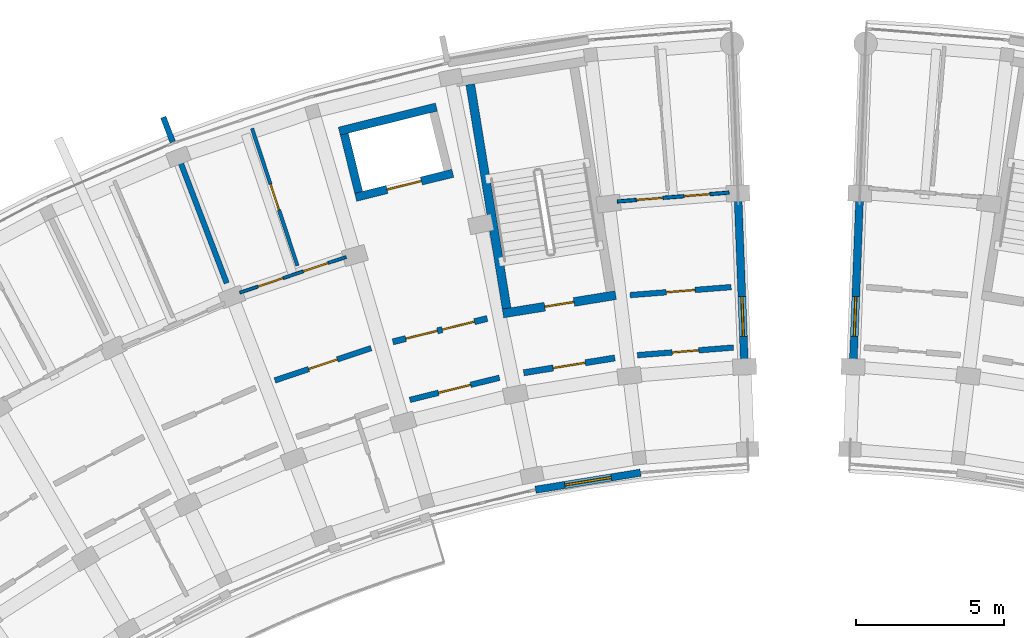
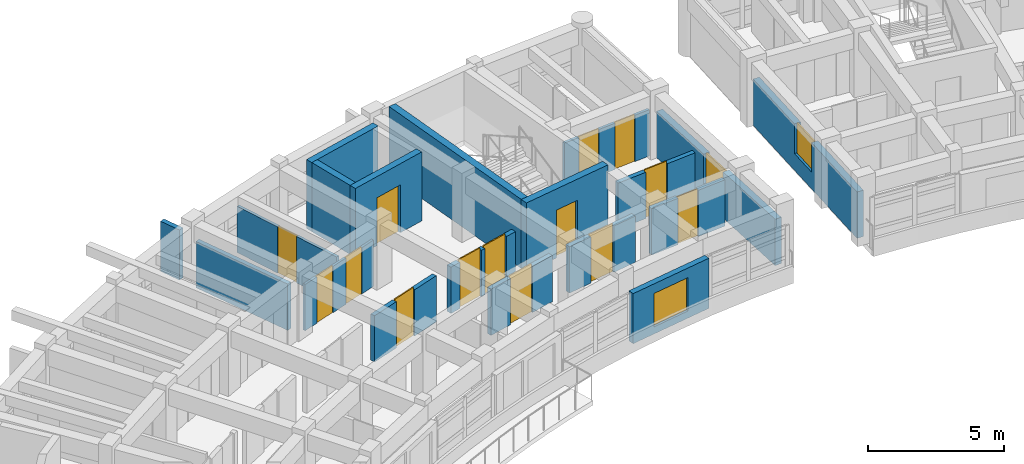
# One storey, part 29 of 56: 19 walls, 14 doors, 3 windows, 17 openings.
"""IFC4 building model written with IfcOpenShell, lengths in metres."""

from ifc_helpers import new_model, si_unit, direction, frame, frame_2d, origin, place, context, subcontext, project, spatial, rectangle, extrude, material, layer, layer_set, type_object, element, fill, save


model = new_model("IFC4")

# Units and contexts
model_context = context("Model", 3, precision=1e-05, world=origin(), true_north=direction((0.0, 1.0)))
body_context = subcontext(model_context, "Body", "Model", "MODEL_VIEW")
ifc_project = project(units=[si_unit("LENGTHUNIT", "METRE"), si_unit("AREAUNIT", "SQUARE_METRE"), si_unit("VOLUMEUNIT", "CUBIC_METRE"), si_unit("PLANEANGLEUNIT", "RADIAN"), si_unit("MASSUNIT", "GRAM", prefix="KILO")], contexts=[model_context])

# Site, building, storey
site_placement = place(None, origin())
site = spatial("IfcSite", under=ifc_project, at=site_placement, CompositionType="ELEMENT")
building_placement = place(site_placement, origin())
building = spatial("IfcBuilding", under=site, at=building_placement, Name="Zimvara Arc Housing Community", CompositionType="ELEMENT")
storey_placement = place(building_placement, frame((0.0, 0.0, 11.199951171875)))
storey = spatial("IfcBuildingStorey", under=building, at=storey_placement, Name="L03", CompositionType="ELEMENT", Elevation=11.199951171875)

# Wall, opening, window
ifc_material_1 = material(Name="Board-Marked Fair-Faced Concrete C35/45", Category="concrete")
ifc_layer_1 = layer(ifc_material_1, 0.264892578125)
ifc_layer_set_1 = layer_set([ifc_layer_1], Name="Board-Marked Fair-Faced Concrete C35/45")
wall_type_1 = type_object("IfcWallType", Name="EWL-CONC-265", PredefinedType="SOLIDWALL", material=ifc_layer_set_1)
wall_1_placement = place(storey_placement, frame((43.2587890625, 89.82666015625, 0.0), z_axis=(0.0, 0.0, 1.0), x_axis=(-0.038407966241, 0.999262141847, 0.0)))
wall_1 = element("IfcWall", 1, at=wall_1_placement, inside=storey, type_object=wall_type_1, Name="ewall:blkA:L03:gN", PredefinedType="SOLIDWALL", context=body_context, shape_type="SweptSolid", body=[
    extrude(rectangle(XDim=8.199951171875, YDim=0.264892578125, at=frame_2d((4.10009765625, 0.0))), origin(), (0.0, 0.0, 1.0), 2.080078125),
])
opening_1_placement = place(wall_1_placement, frame((3.590087890625, 0.0, 0.75)))
opening_1 = element("IfcOpeningElement", 2, at=opening_1_placement, cuts=wall_1, Name="Opening W12", PredefinedType="OPENING", context=body_context, shape_type="SweptSolid", body=[
    extrude(rectangle(XDim=1.35009765625, YDim=1.35009765625, at=frame_2d((0.675048828125, 0.675048828125))), frame((0.0, 0.142333984375, 0.0), z_axis=(0.0, -1.0, 0.0), x_axis=(1.0, 0.0, 0.0)), (0.0, 0.0, 1.0), 0.284912109375),
])
ifc_material_2 = material(Name="Solar Control Low-E Double Glazing", Category="glass")
window_type_1 = type_object("IfcWindowType", Name="WIN-RES-1350x1350", PartitioningType="DOUBLE_PANEL_VERTICAL", PredefinedType="WINDOW", material=ifc_material_2)
window_1_placement = place(opening_1_placement, origin())
window_1 = element("IfcWindow", 3, at=window_1_placement, inside=storey, type_object=window_type_1, Name="win:blkA:L03:gN:w", OverallHeight=1.35009765625, OverallWidth=1.35009765625, PartitioningType="DOUBLE_PANEL_VERTICAL", PredefinedType="WINDOW", context=body_context, shape_type="SweptSolid", body=[
    extrude(rectangle(XDim=1.35009765625, YDim=1.35009765625, at=frame_2d((0.675048828125, 0.675048828125))), frame((0.0, 0.030029296875, 0.0), z_axis=(0.0, -1.0, 0.0), x_axis=(1.0, 0.0, 0.0)), (0.0, 0.0, 1.0), 0.06005859375),
])
fill(opening_1, window_1)

wall_2_placement = place(storey_placement, frame((46.7412109375, 89.82666015625, 0.0), z_axis=(0.0, 0.0, 1.0), x_axis=(0.038407966241, 0.999262141847, 0.0)))
wall_2 = element("IfcWall", 4, at=wall_2_placement, inside=storey, type_object=wall_type_1, Name="ewall:blkB:L03:g0", PredefinedType="SOLIDWALL", context=body_context, shape_type="SweptSolid", body=[
    extrude(rectangle(XDim=8.199951171875, YDim=0.264892578125, at=frame_2d((4.10009765625, 0.0))), origin(), (0.0, 0.0, 1.0), 2.080078125),
])
opening_2_placement = place(wall_2_placement, frame((3.590087890625, 0.0, 0.75)))
opening_2 = element("IfcOpeningElement", 5, at=opening_2_placement, cuts=wall_2, Name="Opening W12", PredefinedType="OPENING", context=body_context, shape_type="SweptSolid", body=[
    extrude(rectangle(XDim=1.35009765625, YDim=1.35009765625, at=frame_2d((0.675048828125, 0.675048828125))), frame((0.0, 0.142333984375, 0.0), z_axis=(0.0, -1.0, 0.0), x_axis=(1.0, 0.0, 0.0)), (0.0, 0.0, 1.0), 0.284912109375),
])
window_2_placement = place(opening_2_placement, origin())
window_2 = element("IfcWindow", 6, at=window_2_placement, inside=storey, type_object=window_type_1, Name="win:blkB:L03:g0:w", OverallHeight=1.35009765625, OverallWidth=1.35009765625, PartitioningType="DOUBLE_PANEL_VERTICAL", PredefinedType="WINDOW", context=body_context, shape_type="SweptSolid", body=[
    extrude(rectangle(XDim=1.35009765625, YDim=1.35009765625, at=frame_2d((0.675048828125, 0.675048828125))), frame((0.0, 0.030029296875, 0.0), z_axis=(0.0, -1.0, 0.0), x_axis=(1.0, 0.0, 0.0)), (0.0, 0.0, 1.0), 0.06005859375),
])
fill(opening_2, window_2)

# Wall
ifc_material_3 = material(Name="Board-Marked Fair-Faced Concrete C35/45", Category="concrete")
ifc_layer_2 = layer(ifc_material_3, 0.195068359375)
ifc_layer_set_2 = layer_set([ifc_layer_2], Name="Board-Marked Fair-Faced Concrete C35/45")
wall_type_2 = type_object("IfcWallType", Name="EWL-PARA-195", PredefinedType="PARAPET", material=ifc_layer_set_2)
wall_3_placement = place(storey_placement, frame((23.783203125, 100.0029296875, 0.0), z_axis=(0.0, 0.0, 1.0), x_axis=(-0.356942580168, 0.934126326823, 0.0)))
element("IfcWall", 7, at=wall_3_placement, inside=storey, type_object=wall_type_2, Name="finwall:blkA:L03:out:b6", PredefinedType="PARAPET", context=body_context, shape_type="SweptSolid", body=[
    extrude(rectangle(XDim=0.900146484375, YDim=0.195068359375, at=frame_2d((0.4501953125, 0.0))), origin(), (0.0, 0.0, 1.0), 2.25),
])

# Wall, opening, window
ifc_material_4 = material(Name="Pigmented Fair-Faced Concrete C35/45", Category="concrete")
ifc_layer_3 = layer(ifc_material_4, 0.2451171875)
ifc_layer_set_3 = layer_set([ifc_layer_3], Name="Pigmented Fair-Faced Concrete C35/45")
wall_type_3 = type_object("IfcWallType", Name="EWL-PIGM-245", PredefinedType="SOLIDWALL", material=ifc_layer_set_3)
wall_4_placement = place(storey_placement, frame((36.078125, 88.218017578125, 0.0), z_axis=(0.0, 0.0, 1.0), x_axis=(0.987080874485, 0.160222804952, 0.0)))
wall_4 = element("IfcWall", 8, at=wall_4_placement, inside=storey, type_object=wall_type_3, Name="ewall:blkA:L03:in:b8", PredefinedType="SOLIDWALL", context=body_context, shape_type="SweptSolid", body=[
    extrude(rectangle(XDim=3.603759765625, YDim=0.2451171875, at=frame_2d((1.8017578125, 0.0))), origin(), (0.0, 0.0, 1.0), 2.25),
])
opening_3_placement = place(wall_4_placement, frame((1.001708984375, 0.0, 0.320068359375)))
opening_3 = element("IfcOpeningElement", 9, at=opening_3_placement, cuts=wall_4, Name="Opening W03", PredefinedType="OPENING", context=body_context, shape_type="SweptSolid", body=[
    extrude(rectangle(XDim=1.60009765625, YDim=1.5, at=frame_2d((0.800048828125, 0.75))), frame((0.0, 0.132568359375, 0.0), z_axis=(0.0, -1.0, 0.0), x_axis=(1.0, 0.0, 0.0)), (0.0, 0.0, 1.0), 0.26513671875),
])
ifc_material_5 = material(Name="Solar Control Low-E Double Glazing", Category="glass")
window_type_2 = type_object("IfcWindowType", Name="WIN-RES-1600x1500", PartitioningType="DOUBLE_PANEL_VERTICAL", PredefinedType="WINDOW", material=ifc_material_5)
window_3_placement = place(opening_3_placement, origin())
window_3 = element("IfcWindow", 10, at=window_3_placement, inside=storey, type_object=window_type_2, Name="win:blkA:L03:in:b8", OverallHeight=1.5, OverallWidth=1.60009765625, PartitioningType="DOUBLE_PANEL_VERTICAL", PredefinedType="WINDOW", context=body_context, shape_type="SweptSolid", body=[
    extrude(rectangle(XDim=1.60009765625, YDim=1.5, at=frame_2d((0.800048828125, 0.75))), frame((0.0, 0.030029296875, 0.0), z_axis=(0.0, -1.0, 0.0), x_axis=(1.0, 0.0, 0.0)), (0.0, 0.0, 1.0), 0.06005859375),
])
fill(opening_3, window_3)

# Wall, openings, doors
ifc_material_6 = material(Name="Concrete C35/45", Category="concrete")
ifc_layer_4 = layer(ifc_material_6, 0.2099609375)
ifc_layer_set_4 = layer_set([ifc_layer_4], Name="Concrete C35/45")
wall_type_4 = type_object("IfcWallType", Name="IWL-CCF-210", PredefinedType="SOLIDWALL", material=ifc_layer_set_4)
wall_5_placement = place(storey_placement, frame((31.242919921875, 93.22998046875, 0.0), z_axis=(0.0, 0.0, 1.0), x_axis=(0.970719238682, 0.240216901263, 0.0)))
wall_5 = element("IfcWall", 11, at=wall_5_placement, inside=storey, type_object=wall_type_4, Name="iwall:blkA:L03:ll_div:b7", PredefinedType="SOLIDWALL", context=body_context, shape_type="SweptSolid", body=[
    extrude(rectangle(XDim=3.2958984375, YDim=0.2099609375, at=frame_2d((1.64794921875, 0.0))), origin(), (0.0, 0.0, 1.0), 2.080078125),
])
opening_4_placement = place(wall_5_placement, frame((0.449951171875, 0.0, 0.0)))
opening_4 = element("IfcOpeningElement", 12, at=opening_4_placement, cuts=wall_5, Name="Opening FD-CCF1", PredefinedType="OPENING", context=body_context, shape_type="SweptSolid", body=[
    extrude(rectangle(XDim=1.10009765625, YDim=2.14990234375, at=frame_2d((0.550048828125, 1.074951171875))), frame((0.0, 0.114990234375, 0.0), z_axis=(0.0, -1.0, 0.0), x_axis=(1.0, 0.0, 0.0)), (0.0, 0.0, 1.0), 0.22998046875),
])
opening_5_placement = place(wall_5_placement, frame((1.72607421875, 0.0, 0.0)))
opening_5 = element("IfcOpeningElement", 13, at=opening_5_placement, cuts=wall_5, Name="Opening D07", PredefinedType="OPENING", context=body_context, shape_type="SweptSolid", body=[
    extrude(rectangle(XDim=1.1201171875, YDim=2.14990234375, at=frame_2d((0.56005859375, 1.074951171875))), frame((0.0, 0.114990234375, 0.0), z_axis=(0.0, -1.0, 0.0), x_axis=(1.0, 0.0, 0.0)), (0.0, 0.0, 1.0), 0.22998046875),
])
ifc_material_7 = material(Name="Mozambican Hardwood", Category="wood")
door_type_1 = type_object("IfcDoorType", Name="IDR-AMN-1120x2150", OperationType="NOTDEFINED", PredefinedType="DOOR", material=ifc_material_7)
door_1_placement = place(opening_5_placement, origin())
door_1 = element("IfcDoor", 14, at=door_1_placement, inside=storey, type_object=door_type_1, Name="idoor:blkA:L03:rs_in:b7", OperationType="SINGLE_SWING_RIGHT", OverallHeight=2.14990234375, OverallWidth=1.1201171875, PredefinedType="DOOR", context=body_context, shape_type="SweptSolid", body=[
    extrude(rectangle(XDim=1.1201171875, YDim=2.14990234375, at=frame_2d((0.56005859375, 1.074951171875))), frame((0.0, 0.02490234375, 0.0), z_axis=(0.0, -1.0, 0.0), x_axis=(1.0, 0.0, 0.0)), (0.0, 0.0, 1.0), 0.050048828125),
])
fill(opening_5, door_1)
ifc_material_8 = material(Name="Anodised Aluminium AW-6063", Category="aluminium")
door_type_2 = type_object("IfcDoorType", Name="IDR-CCF-1100x2150", OperationType="NOTDEFINED", PredefinedType="DOOR", material=ifc_material_8)
door_2_placement = place(opening_4_placement, origin())
door_2 = element("IfcDoor", 15, at=door_2_placement, inside=storey, type_object=door_type_2, Name="idoor:blkA:L03:ll_in:b7", OperationType="SINGLE_SWING_LEFT", OverallHeight=2.14990234375, OverallWidth=1.10009765625, PredefinedType="DOOR", context=body_context, shape_type="SweptSolid", body=[
    extrude(rectangle(XDim=1.10009765625, YDim=2.14990234375, at=frame_2d((0.550048828125, 1.074951171875))), frame((0.0, 0.02490234375, 0.0), z_axis=(0.0, -1.0, 0.0), x_axis=(1.0, 0.0, 0.0)), (0.0, 0.0, 1.0), 0.050048828125),
])
fill(opening_4, door_2)

# Wall, opening, door
wall_6_placement = place(storey_placement, frame((35.675537109375, 92.181396484375, 0.0), z_axis=(0.0, 0.0, 1.0), x_axis=(0.98707079686, 0.160284877599, 0.0)))
wall_6 = element("IfcWall", 16, at=wall_6_placement, inside=storey, type_object=wall_type_4, Name="iwall:blkA:L03:ccf_div:b8", PredefinedType="SOLIDWALL", context=body_context, shape_type="SweptSolid", body=[
    extrude(rectangle(XDim=3.128662109375, YDim=0.2099609375, at=frame_2d((1.564453125, 0.0))), origin(), (0.0, 0.0, 1.0), 2.080078125),
])
opening_6_placement = place(wall_6_placement, frame((1.014404296875, 0.0, 0.0)))
opening_6 = element("IfcOpeningElement", 17, at=opening_6_placement, cuts=wall_6, Name="Opening FD-CCF1", PredefinedType="OPENING", context=body_context, shape_type="SweptSolid", body=[
    extrude(rectangle(XDim=1.10009765625, YDim=2.14990234375, at=frame_2d((0.550048828125, 1.074951171875))), frame((0.0, 0.114990234375, 0.0), z_axis=(0.0, -1.0, 0.0), x_axis=(1.0, 0.0, 0.0)), (0.0, 0.0, 1.0), 0.22998046875),
])
door_3_placement = place(opening_6_placement, origin())
door_3 = element("IfcDoor", 18, at=door_3_placement, inside=storey, type_object=door_type_2, Name="idoor:blkA:L03:ccf_in:b8", OperationType="SINGLE_SWING_RIGHT", OverallHeight=2.14990234375, OverallWidth=1.10009765625, PredefinedType="DOOR", context=body_context, shape_type="SweptSolid", body=[
    extrude(rectangle(XDim=1.10009765625, YDim=2.14990234375, at=frame_2d((0.550048828125, 1.074951171875))), frame((0.0, 0.02490234375, 0.0), z_axis=(0.0, -1.0, 0.0), x_axis=(1.0, 0.0, 0.0)), (0.0, 0.0, 1.0), 0.050048828125),
])
fill(opening_6, door_3)

ifc_material_9 = material(Name="Concrete C35/45", Category="concrete")
ifc_layer_5 = layer(ifc_material_9, 0.18994140625)
ifc_layer_set_5 = layer_set([ifc_layer_5], Name="Concrete C35/45")
wall_type_5 = type_object("IfcWallType", Name="IWL-CORR-190", PredefinedType="SOLIDWALL", material=ifc_layer_set_5)
wall_7_placement = place(storey_placement, frame((27.24658203125, 91.922607421875, 0.0), z_axis=(0.0, 0.0, 1.0), x_axis=(0.947863007629, 0.318678080151, 0.0)))
wall_7 = element("IfcWall", 19, at=wall_7_placement, inside=storey, type_object=wall_type_5, Name="iwall:blkA:L03:corr_out:b6", PredefinedType="SOLIDWALL", context=body_context, shape_type="SweptSolid", body=[
    extrude(rectangle(XDim=3.43603515625, YDim=0.18994140625, at=frame_2d((1.718017578125, 0.0))), origin(), (0.0, 0.0, 1.0), 2.080078125),
])
opening_7_placement = place(wall_7_placement, frame((1.2080078125, 0.0, 0.0)))
opening_7 = element("IfcOpeningElement", 20, at=opening_7_placement, cuts=wall_7, Name="Opening FD-FL2", PredefinedType="OPENING", context=body_context, shape_type="SweptSolid", body=[
    extrude(rectangle(XDim=1.02001953125, YDim=2.14990234375, at=frame_2d((0.510009765625, 1.074951171875))), frame((0.0, 0.10498046875, 0.0), z_axis=(0.0, -1.0, 0.0), x_axis=(1.0, 0.0, 0.0)), (0.0, 0.0, 1.0), 0.2099609375),
])
ifc_material_10 = material(Name="Mozambican Hardwood", Category="wood")
door_type_3 = type_object("IfcDoorType", Name="IDR-FLAT-1020x2150", OperationType="NOTDEFINED", PredefinedType="DOOR", material=ifc_material_10)
door_4_placement = place(opening_7_placement, origin())
door_4 = element("IfcDoor", 21, at=door_4_placement, inside=storey, type_object=door_type_3, Name="idoor:blkA:L03:flat:b6", OperationType="SINGLE_SWING_LEFT", OverallHeight=2.14990234375, OverallWidth=1.02001953125, PredefinedType="DOOR", context=body_context, shape_type="SweptSolid", body=[
    extrude(rectangle(XDim=1.02001953125, YDim=2.14990234375, at=frame_2d((0.510009765625, 1.074951171875))), frame((0.0, 0.02490234375, 0.0), z_axis=(0.0, -1.0, 0.0), x_axis=(1.0, 0.0, 0.0)), (0.0, 0.0, 1.0), 0.050048828125),
])
fill(opening_7, door_4)

wall_8_placement = place(storey_placement, frame((31.816162109375, 91.26171875, 0.0), z_axis=(0.0, 0.0, 1.0), x_axis=(0.970727194092, 0.240184751078, 0.0)))
wall_8 = element("IfcWall", 22, at=wall_8_placement, inside=storey, type_object=wall_type_5, Name="iwall:blkA:L03:ra_div:b7", PredefinedType="SOLIDWALL", context=body_context, shape_type="SweptSolid", body=[
    extrude(rectangle(XDim=3.128662109375, YDim=0.18994140625, at=frame_2d((1.564453125, 0.0))), origin(), (0.0, 0.0, 1.0), 2.080078125),
])
opening_8_placement = place(wall_8_placement, frame((1.00439453125, 0.0, 0.0)))
opening_8 = element("IfcOpeningElement", 23, at=opening_8_placement, cuts=wall_8, Name="Opening D07", PredefinedType="OPENING", context=body_context, shape_type="SweptSolid", body=[
    extrude(rectangle(XDim=1.1201171875, YDim=2.14990234375, at=frame_2d((0.56005859375, 1.074951171875))), frame((0.0, 0.10498046875, 0.0), z_axis=(0.0, -1.0, 0.0), x_axis=(1.0, 0.0, 0.0)), (0.0, 0.0, 1.0), 0.2099609375),
])
door_5_placement = place(opening_8_placement, origin())
door_5 = element("IfcDoor", 24, at=door_5_placement, inside=storey, type_object=door_type_1, Name="idoor:blkA:L03:ra_d:b7", OperationType="SINGLE_SWING_LEFT", OverallHeight=2.14990234375, OverallWidth=1.1201171875, PredefinedType="DOOR", context=body_context, shape_type="SweptSolid", body=[
    extrude(rectangle(XDim=1.1201171875, YDim=2.14990234375, at=frame_2d((0.56005859375, 1.074951171875))), frame((0.0, 0.02490234375, 0.0), z_axis=(0.0, -1.0, 0.0), x_axis=(1.0, 0.0, 0.0)), (0.0, 0.0, 1.0), 0.050048828125),
])
fill(opening_8, door_5)

wall_9_placement = place(storey_placement, frame((39.281494140625, 94.81298828125, 0.0), z_axis=(0.0, 0.0, 1.0), x_axis=(0.996862545573, 0.079152165058, 0.0)))
wall_9 = element("IfcWall", 25, at=wall_9_placement, inside=storey, type_object=wall_type_5, Name="iwall:blkA:L03:corr_out:b9", PredefinedType="SOLIDWALL", context=body_context, shape_type="SweptSolid", body=[
    extrude(rectangle(XDim=3.43603515625, YDim=0.18994140625, at=frame_2d((1.718017578125, 0.0))), origin(), (0.0, 0.0, 1.0), 2.080078125),
])
opening_9_placement = place(wall_9_placement, frame((1.22802734375, 0.0, 0.0)))
opening_9 = element("IfcOpeningElement", 26, at=opening_9_placement, cuts=wall_9, Name="Opening FD-FL1", PredefinedType="OPENING", context=body_context, shape_type="SweptSolid", body=[
    extrude(rectangle(XDim=0.97998046875, YDim=2.14990234375, at=frame_2d((0.489990234375, 1.074951171875))), frame((0.0, 0.10498046875, 0.0), z_axis=(0.0, -1.0, 0.0), x_axis=(1.0, 0.0, 0.0)), (0.0, 0.0, 1.0), 0.2099609375),
])
ifc_material_11 = material(Name="Mozambican Hardwood", Category="wood")
door_type_4 = type_object("IfcDoorType", Name="IDR-FLAT-0980x2150", OperationType="NOTDEFINED", PredefinedType="DOOR", material=ifc_material_11)
door_6_placement = place(opening_9_placement, origin())
door_6 = element("IfcDoor", 27, at=door_6_placement, inside=storey, type_object=door_type_4, Name="idoor:blkA:L03:flat:b9", OperationType="SINGLE_SWING_LEFT", OverallHeight=2.14990234375, OverallWidth=0.97998046875, PredefinedType="DOOR", context=body_context, shape_type="SweptSolid", body=[
    extrude(rectangle(XDim=0.97998046875, YDim=2.14990234375, at=frame_2d((0.489990234375, 1.074951171875))), frame((0.0, 0.02490234375, 0.0), z_axis=(0.0, -1.0, 0.0), x_axis=(1.0, 0.0, 0.0)), (0.0, 0.0, 1.0), 0.050048828125),
])
fill(opening_9, door_6)

wall_10_placement = place(storey_placement, frame((39.527099609375, 92.77783203125, 0.0), z_axis=(0.0, 0.0, 1.0), x_axis=(0.99686660806, 0.07910098441, 0.0)))
wall_10 = element("IfcWall", 28, at=wall_10_placement, inside=storey, type_object=wall_type_5, Name="iwall:blkA:L03:corr_in:b9", PredefinedType="SOLIDWALL", context=body_context, shape_type="SweptSolid", body=[
    extrude(rectangle(XDim=3.2685546875, YDim=0.18994140625, at=frame_2d((1.63427734375, 0.0))), origin(), (0.0, 0.0, 1.0), 2.080078125),
])
opening_10_placement = place(wall_10_placement, frame((1.184326171875, 0.0, 0.0)))
opening_10 = element("IfcOpeningElement", 29, at=opening_10_placement, cuts=wall_10, Name="Opening D01", PredefinedType="OPENING", context=body_context, shape_type="SweptSolid", body=[
    extrude(rectangle(XDim=0.89990234375, YDim=2.10009765625, at=frame_2d((0.449951171875, 1.050048828125))), frame((0.0, 0.10498046875, 0.0), z_axis=(0.0, -1.0, 0.0), x_axis=(1.0, 0.0, 0.0)), (0.0, 0.0, 1.0), 0.2099609375),
])
ifc_material_12 = material(Name="Mozambican Hardwood", Category="wood")
door_type_5 = type_object("IfcDoorType", Name="IDR-RM-0900x2100", OperationType="NOTDEFINED", PredefinedType="DOOR", material=ifc_material_12)
door_7_placement = place(opening_10_placement, origin())
door_7 = element("IfcDoor", 30, at=door_7_placement, inside=storey, type_object=door_type_5, Name="idoor:blkA:L03:in_rm:b9", OperationType="SINGLE_SWING_RIGHT", OverallHeight=2.10009765625, OverallWidth=0.89990234375, PredefinedType="DOOR", context=body_context, shape_type="SweptSolid", body=[
    extrude(rectangle(XDim=0.89990234375, YDim=2.10009765625, at=frame_2d((0.449951171875, 1.050048828125))), frame((0.0, 0.02490234375, 0.0), z_axis=(0.0, -1.0, 0.0), x_axis=(1.0, 0.0, 0.0)), (0.0, 0.0, 1.0), 0.050048828125),
])
fill(opening_10, door_7)

# Wall
ifc_material_13 = material(Name="Concrete C35/45", Category="concrete")
ifc_layer_6 = layer(ifc_material_13, 0.18505859375)
ifc_layer_set_6 = layer_set([ifc_layer_6], Name="Concrete C35/45")
wall_type_6 = type_object("IfcWallType", Name="IWL-FLAT-185", PredefinedType="SOLIDWALL", material=ifc_layer_set_6)
wall_11_placement = place(storey_placement, frame((25.611328125, 95.220458984375, 0.0), z_axis=(0.0, 0.0, 1.0), x_axis=(-0.357064016205, 0.934079915388, 0.0)))
element("IfcWall", 31, at=wall_11_placement, inside=storey, type_object=wall_type_6, Name="iwall:blkA:L03:party:b6", PredefinedType="SOLIDWALL", context=body_context, shape_type="SweptSolid", body=[
    extrude(rectangle(XDim=4.35009765625, YDim=0.18505859375, at=frame_2d((2.175048828125, 0.0))), origin(), (0.0, 0.0, 1.0), 2.080078125),
])

# Wall, openings, doors
ifc_material_14 = material(Name="Painted Acoustic Plasterboard")
ifc_layer_7 = layer(ifc_material_14, 0.10009765625)
ifc_layer_set_7 = layer_set([ifc_layer_7], Name="Painted Acoustic Plasterboard")
wall_type_7 = type_object("IfcWallType", Name="IWL-PART-100", PredefinedType="PARTITIONING", material=ifc_layer_set_7)
wall_12_placement = place(storey_placement, frame((26.056396484375, 94.895751953125, 0.0), z_axis=(0.0, 0.0, 1.0), x_axis=(0.947876567739, 0.318637744673, 0.0)))
wall_12 = element("IfcWall", 32, at=wall_12_placement, inside=storey, type_object=wall_type_7, Name="iwall:blkA:L03:srv:b6", PredefinedType="PARTITIONING", context=body_context, shape_type="SweptSolid", body=[
    extrude(rectangle(XDim=3.79736328125, YDim=0.10009765625, at=frame_2d((1.898681640625, 0.0))), origin(), (0.0, 0.0, 1.0), 2.080078125),
])
opening_11_placement = place(wall_12_placement, frame((0.64990234375, 0.0, 0.0)))
opening_11 = element("IfcOpeningElement", 33, at=opening_11_placement, cuts=wall_12, Name="Opening D01", PredefinedType="OPENING", context=body_context, shape_type="SweptSolid", body=[
    extrude(rectangle(XDim=0.89990234375, YDim=2.10009765625, at=frame_2d((0.449951171875, 1.050048828125))), frame((0.0, 0.06005859375, 0.0), z_axis=(0.0, -1.0, 0.0), x_axis=(1.0, 0.0, 0.0)), (0.0, 0.0, 1.0), 0.1201171875),
])
opening_12_placement = place(wall_12_placement, frame((2.267333984375, 0.0, 0.0)))
opening_12 = element("IfcOpeningElement", 34, at=opening_12_placement, cuts=wall_12, Name="Opening D05", PredefinedType="OPENING", context=body_context, shape_type="SweptSolid", body=[
    extrude(rectangle(XDim=0.8798828125, YDim=2.10009765625, at=frame_2d((0.43994140625, 1.050048828125))), frame((0.0, 0.06005859375, 0.0), z_axis=(0.0, -1.0, 0.0), x_axis=(1.0, 0.0, 0.0)), (0.0, 0.0, 1.0), 0.1201171875),
])
door_8_placement = place(opening_11_placement, origin())
door_8 = element("IfcDoor", 35, at=door_8_placement, inside=storey, type_object=door_type_5, Name="idoor:blkA:L03:kit_liv:b6", OperationType="SINGLE_SWING_RIGHT", OverallHeight=2.10009765625, OverallWidth=0.89990234375, PredefinedType="DOOR", context=body_context, shape_type="SweptSolid", body=[
    extrude(rectangle(XDim=0.89990234375, YDim=2.10009765625, at=frame_2d((0.449951171875, 1.050048828125))), frame((0.0, 0.02490234375, 0.0), z_axis=(0.0, -1.0, 0.0), x_axis=(1.0, 0.0, 0.0)), (0.0, 0.0, 1.0), 0.050048828125),
])
fill(opening_11, door_8)
ifc_material_15 = material(Name="Mozambican Hardwood", Category="wood")
door_type_6 = type_object("IfcDoorType", Name="IDR-WC-0880x2100", OperationType="NOTDEFINED", PredefinedType="DOOR", material=ifc_material_15)
door_9_placement = place(opening_12_placement, origin())
door_9 = element("IfcDoor", 36, at=door_9_placement, inside=storey, type_object=door_type_6, Name="idoor:blkA:L03:bath_d:b6", OperationType="SINGLE_SWING_LEFT", OverallHeight=2.10009765625, OverallWidth=0.8798828125, PredefinedType="DOOR", context=body_context, shape_type="SweptSolid", body=[
    extrude(rectangle(XDim=0.8798828125, YDim=2.10009765625, at=frame_2d((0.43994140625, 1.050048828125))), frame((0.0, 0.02490234375, 0.0), z_axis=(0.0, -1.0, 0.0), x_axis=(1.0, 0.0, 0.0)), (0.0, 0.0, 1.0), 0.050048828125),
])
fill(opening_12, door_9)

ifc_material_16 = material(Name="Painted Acoustic Plasterboard")
ifc_layer_8 = layer(ifc_material_16, 0.114990234375)
ifc_layer_set_8 = layer_set([ifc_layer_8], Name="Painted Acoustic Plasterboard")
wall_type_8 = type_object("IfcWallType", Name="IWL-PART-115", PredefinedType="PARTITIONING", material=ifc_layer_set_8)
wall_13_placement = place(storey_placement, frame((38.848388671875, 97.986083984375, 0.0), z_axis=(0.0, 0.0, 1.0), x_axis=(0.996863138536, 0.079144696778, 0.0)))
wall_13 = element("IfcWall", 37, at=wall_13_placement, inside=storey, type_object=wall_type_8, Name="iwall:blkA:L03:srv:b9", PredefinedType="PARTITIONING", context=body_context, shape_type="SweptSolid", body=[
    extrude(rectangle(XDim=3.79736328125, YDim=0.114990234375, at=frame_2d((1.898681640625, 0.0))), origin(), (0.0, 0.0, 1.0), 2.080078125),
])
opening_13_placement = place(wall_13_placement, frame((0.64990234375, 0.0, 0.0)))
opening_13 = element("IfcOpeningElement", 38, at=opening_13_placement, cuts=wall_13, Name="Opening D01", PredefinedType="OPENING", context=body_context, shape_type="SweptSolid", body=[
    extrude(rectangle(XDim=0.89990234375, YDim=2.10009765625, at=frame_2d((0.449951171875, 1.050048828125))), frame((0.0, 0.0673828125, 0.0), z_axis=(0.0, -1.0, 0.0), x_axis=(1.0, 0.0, 0.0)), (0.0, 0.0, 1.0), 0.135009765625),
])
opening_14_placement = place(wall_13_placement, frame((2.267333984375, 0.0, 0.0)))
opening_14 = element("IfcOpeningElement", 39, at=opening_14_placement, cuts=wall_13, Name="Opening D05", PredefinedType="OPENING", context=body_context, shape_type="SweptSolid", body=[
    extrude(rectangle(XDim=0.8798828125, YDim=2.10009765625, at=frame_2d((0.43994140625, 1.050048828125))), frame((0.0, 0.0673828125, 0.0), z_axis=(0.0, -1.0, 0.0), x_axis=(1.0, 0.0, 0.0)), (0.0, 0.0, 1.0), 0.135009765625),
])
door_10_placement = place(opening_13_placement, origin())
door_10 = element("IfcDoor", 40, at=door_10_placement, inside=storey, type_object=door_type_5, Name="idoor:blkA:L03:kit_liv:b9", OperationType="SINGLE_SWING_LEFT", OverallHeight=2.10009765625, OverallWidth=0.89990234375, PredefinedType="DOOR", context=body_context, shape_type="SweptSolid", body=[
    extrude(rectangle(XDim=0.89990234375, YDim=2.10009765625, at=frame_2d((0.449951171875, 1.050048828125))), frame((0.0, 0.02490234375, 0.0), z_axis=(0.0, -1.0, 0.0), x_axis=(1.0, 0.0, 0.0)), (0.0, 0.0, 1.0), 0.050048828125),
])
fill(opening_13, door_10)
door_11_placement = place(opening_14_placement, origin())
door_11 = element("IfcDoor", 41, at=door_11_placement, inside=storey, type_object=door_type_6, Name="idoor:blkA:L03:bath_d:b9", OperationType="SINGLE_SWING_RIGHT", OverallHeight=2.10009765625, OverallWidth=0.8798828125, PredefinedType="DOOR", context=body_context, shape_type="SweptSolid", body=[
    extrude(rectangle(XDim=0.8798828125, YDim=2.10009765625, at=frame_2d((0.43994140625, 1.050048828125))), frame((0.0, 0.02490234375, 0.0), z_axis=(0.0, -1.0, 0.0), x_axis=(1.0, 0.0, 0.0)), (0.0, 0.0, 1.0), 0.050048828125),
])
fill(opening_14, door_11)

# Wall, opening, door
ifc_material_17 = material(Name="Painted Acoustic Plasterboard")
ifc_layer_9 = layer(ifc_material_17, 0.1201171875)
ifc_layer_set_9 = layer_set([ifc_layer_9], Name="Painted Acoustic Plasterboard")
wall_type_9 = type_object("IfcWallType", Name="IWL-PART-120", PredefinedType="PARTITIONING", material=ifc_layer_set_9)
wall_14_placement = place(storey_placement, frame((28.010009765625, 95.810302734375, 0.0), z_axis=(0.0, 0.0, 1.0), x_axis=(-0.314343770763, 0.949309219266, 0.0)))
wall_14 = element("IfcWall", 42, at=wall_14_placement, inside=storey, type_object=wall_type_9, Name="iwall:blkA:L03:bed_div:b6", PredefinedType="PARTITIONING", context=body_context, shape_type="SweptSolid", body=[
    extrude(rectangle(XDim=4.89990234375, YDim=0.1201171875, at=frame_2d((2.449951171875, 0.0))), origin(), (0.0, 0.0, 1.0), 2.080078125),
])
opening_15_placement = place(wall_14_placement, frame((1.989990234375, 0.0, 0.0)))
opening_15 = element("IfcOpeningElement", 43, at=opening_15_placement, cuts=wall_14, Name="Opening D02", PredefinedType="OPENING", context=body_context, shape_type="SweptSolid", body=[
    extrude(rectangle(XDim=0.919921875, YDim=2.10009765625, at=frame_2d((0.4599609375, 1.050048828125))), frame((0.0, 0.070068359375, 0.0), z_axis=(0.0, -1.0, 0.0), x_axis=(1.0, 0.0, 0.0)), (0.0, 0.0, 1.0), 0.14013671875),
])
ifc_material_18 = material(Name="Mozambican Hardwood", Category="wood")
door_type_7 = type_object("IfcDoorType", Name="IDR-RM-0920x2100", OperationType="NOTDEFINED", PredefinedType="DOOR", material=ifc_material_18)
door_12_placement = place(opening_15_placement, origin())
door_12 = element("IfcDoor", 44, at=door_12_placement, inside=storey, type_object=door_type_7, Name="idoor:blkA:L03:bed_d:b6", OperationType="SINGLE_SWING_RIGHT", OverallHeight=2.10009765625, OverallWidth=0.919921875, PredefinedType="DOOR", context=body_context, shape_type="SweptSolid", body=[
    extrude(rectangle(XDim=0.919921875, YDim=2.10009765625, at=frame_2d((0.4599609375, 1.050048828125))), frame((0.0, 0.02490234375, 0.0), z_axis=(0.0, -1.0, 0.0), x_axis=(1.0, 0.0, 0.0)), (0.0, 0.0, 1.0), 0.050048828125),
])
fill(opening_15, door_12)

ifc_material_19 = material(Name="Concrete C40/50", Category="concrete")
ifc_layer_10 = layer(ifc_material_19, 0.280029296875)
ifc_layer_set_10 = layer_set([ifc_layer_10], Name="Concrete C40/50")
wall_type_10 = type_object("IfcWallType", Name="WL-CORE-280", PredefinedType="SHEAR", material=ifc_layer_set_10)
wall_15_placement = place(storey_placement, frame((33.27294921875, 98.942138671875, 0.0), z_axis=(0.0, 0.0, 1.0), x_axis=(-0.970707542441, -0.240264160972, 0.0)))
wall_15 = element("IfcWall", 45, at=wall_15_placement, inside=storey, type_object=wall_type_10, Name="lwall:LF-A2:L03:front", PredefinedType="SHEAR", context=body_context, shape_type="SweptSolid", body=[
    extrude(rectangle(XDim=3.389892578125, YDim=0.280029296875, at=frame_2d((1.69482421875, 0.0))), origin(), (0.0, 0.0, 1.0), 3.10009765625),
])
opening_16_placement = place(wall_15_placement, frame((1.094970703125, 0.0, 0.0)))
opening_16 = element("IfcOpeningElement", 46, at=opening_16_placement, cuts=wall_15, Name="Opening LD-LF-A2", PredefinedType="OPENING", context=body_context, shape_type="SweptSolid", body=[
    extrude(rectangle(XDim=1.199951171875, YDim=2.14990234375, at=frame_2d((0.60009765625, 1.074951171875))), frame((0.0, 0.14990234375, 0.0), z_axis=(0.0, -1.0, 0.0), x_axis=(1.0, 0.0, 0.0)), (0.0, 0.0, 1.0), 0.300048828125),
])
ifc_material_20 = material(Name="Anodised Aluminium AW-6063", Category="aluminium")
door_type_8 = type_object("IfcDoorType", Name="IDR-LD-1200x2150", OperationType="DOUBLE_DOOR_SLIDING", PredefinedType="DOOR", material=ifc_material_20)
door_13_placement = place(opening_16_placement, origin())
door_13 = element("IfcDoor", 47, at=door_13_placement, inside=storey, type_object=door_type_8, Name="Lift LF-A2 Sliding Landing Door L03", OperationType="DOUBLE_DOOR_SLIDING", OverallHeight=2.14990234375, OverallWidth=1.199951171875, PredefinedType="DOOR", context=body_context, shape_type="SweptSolid", body=[
    extrude(rectangle(XDim=1.199951171875, YDim=2.14990234375, at=frame_2d((0.60009765625, 1.074951171875))), frame((0.0, 0.02490234375, 0.0), z_axis=(0.0, -1.0, 0.0), x_axis=(1.0, 0.0, 0.0)), (0.0, 0.0, 1.0), 0.050048828125),
])
fill(opening_16, door_13)

# Walls
wall_16_placement = place(storey_placement, frame((32.71826171875, 101.1845703125, 0.0), z_axis=(0.0, 0.0, 1.0), x_axis=(-0.970711699588, -0.240247364777, 0.0)))
element("IfcWall", 48, at=wall_16_placement, inside=storey, type_object=wall_type_10, Name="lwall:LF-A2:L03:back", PredefinedType="SHEAR", context=body_context, shape_type="SweptSolid", body=[
    extrude(rectangle(XDim=3.39013671875, YDim=0.280029296875, at=frame_2d((1.695068359375, 0.0))), origin(), (0.0, 0.0, 1.0), 3.10009765625),
])
wall_17_placement = place(storey_placement, frame((30.084716796875, 98.29736328125, 0.0), z_axis=(0.0, 0.0, 1.0), x_axis=(-0.2402993748, 0.970698825832, 0.0)))
element("IfcWall", 49, at=wall_17_placement, inside=storey, type_object=wall_type_10, Name="lwall:LF-A2:L03:right", PredefinedType="SHEAR", context=body_context, shape_type="SweptSolid", body=[
    extrude(rectangle(XDim=2.030029296875, YDim=0.280029296875, at=frame_2d((1.01513671875, 0.0))), origin(), (0.0, 0.0, 1.0), 3.10009765625),
])

# Wall, opening, door
ifc_material_21 = material(Name="Concrete C40/50", Category="concrete")
ifc_layer_11 = layer(ifc_material_21, 0.300048828125)
ifc_layer_set_11 = layer_set([ifc_layer_11], Name="Concrete C40/50")
wall_type_11 = type_object("IfcWallType", Name="WL-CORE-300", PredefinedType="SHEAR", material=ifc_layer_set_11)
wall_18_placement = place(storey_placement, frame((38.793701171875, 94.810546875, 0.0), z_axis=(0.0, 0.0, 1.0), x_axis=(-0.987077443397, -0.160243941341, 0.0)))
wall_18 = element("IfcWall", 50, at=wall_18_placement, inside=storey, type_object=wall_type_11, Name="cwall:ST-A2:L03:near", PredefinedType="SHEAR", context=body_context, shape_type="SweptSolid", body=[
    extrude(rectangle(XDim=3.869873046875, YDim=0.300048828125, at=frame_2d((1.93505859375, 0.0))), origin(), (0.0, 0.0, 1.0), 3.10009765625),
])
opening_17_placement = place(wall_18_placement, frame((1.43505859375, 0.0, 0.0)))
opening_17 = element("IfcOpeningElement", 51, at=opening_17_placement, cuts=wall_18, Name="Opening FD-ST1", PredefinedType="OPENING", context=body_context, shape_type="SweptSolid", body=[
    extrude(rectangle(XDim=1.0, YDim=2.14990234375, at=frame_2d((0.5, 1.074951171875))), frame((0.0, 0.159912109375, 0.0), z_axis=(0.0, -1.0, 0.0), x_axis=(1.0, 0.0, 0.0)), (0.0, 0.0, 1.0), 0.320068359375),
])
ifc_material_22 = material(Name="Anodised Aluminium AW-6063", Category="aluminium")
door_type_9 = type_object("IfcDoorType", Name="IDR-ST-1000x2150", OperationType="NOTDEFINED", PredefinedType="DOOR", material=ifc_material_22)
door_14_placement = place(opening_17_placement, origin())
door_14 = element("IfcDoor", 52, at=door_14_placement, inside=storey, type_object=door_type_9, Name="idoor:ST-A2:L03:entry", OperationType="SINGLE_SWING_LEFT", OverallHeight=2.14990234375, OverallWidth=1.0, PredefinedType="DOOR", context=body_context, shape_type="SweptSolid", body=[
    extrude(rectangle(XDim=1.0, YDim=2.14990234375, at=frame_2d((0.5, 1.074951171875))), frame((0.0, 0.02490234375, 0.0), z_axis=(0.0, -1.0, 0.0), x_axis=(1.0, 0.0, 0.0)), (0.0, 0.0, 1.0), 0.050048828125),
])
fill(opening_17, door_14)

# Wall
wall_19_placement = place(storey_placement, frame((35.097900390625, 94.362548828125, 0.0), z_axis=(0.0, 0.0, 1.0), x_axis=(-0.160227496777, 0.987080112897, 0.0)))
element("IfcWall", 53, at=wall_19_placement, inside=storey, type_object=wall_type_11, Name="cwall:ST-A2:L03:right", PredefinedType="SHEAR", context=body_context, shape_type="SweptSolid", body=[
    extrude(rectangle(XDim=7.690185546875, YDim=0.300048828125, at=frame_2d((3.84521484375, 0.0))), origin(), (0.0, 0.0, 1.0), 3.10009765625),
])

save(model, "model.ifc")
